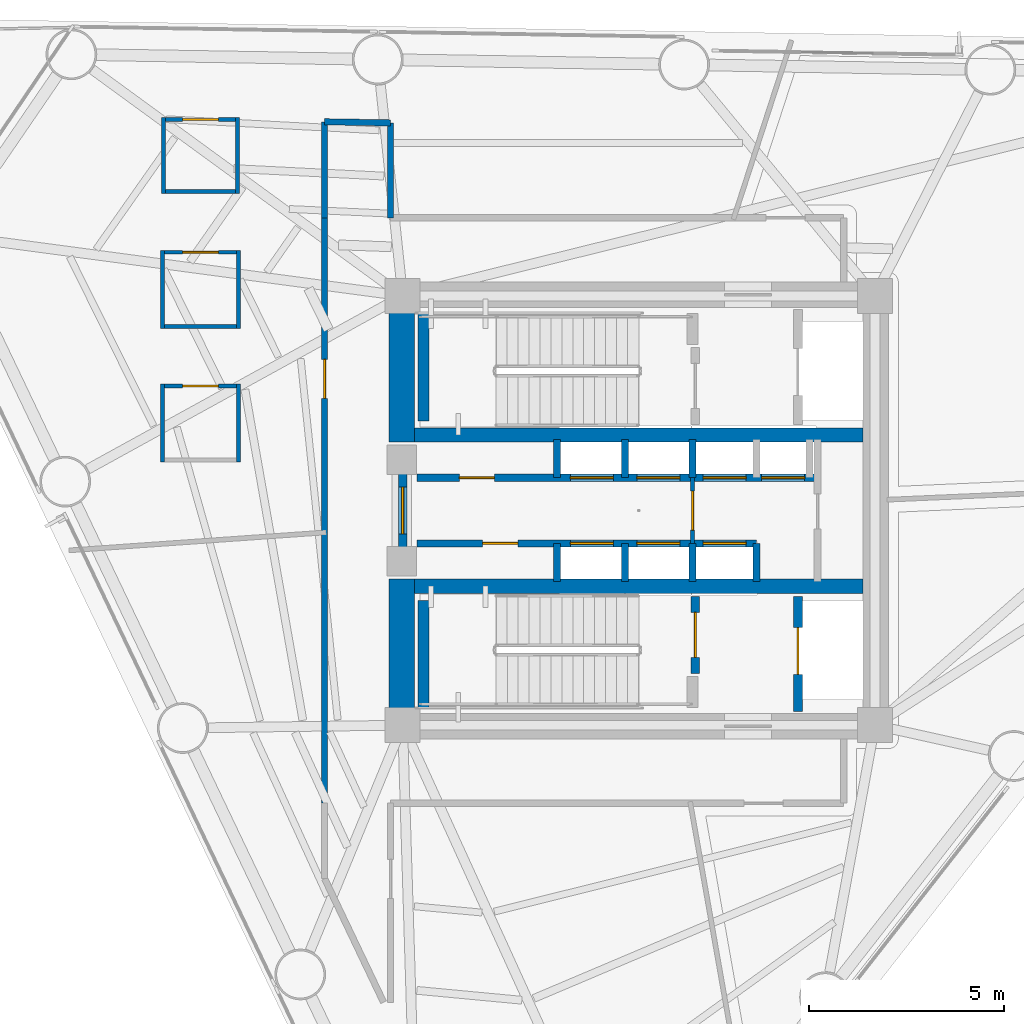
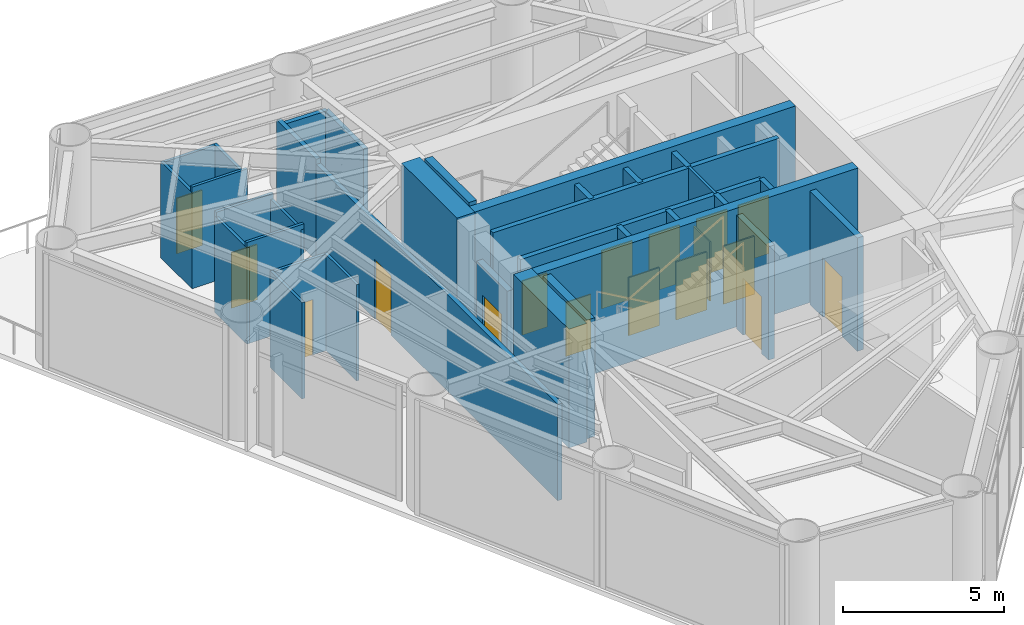
# One storey, part 6 of 11: 34 walls, 17 doors, 17 openings.
"""IFC4 building model written with IfcOpenShell, lengths in metres."""

from ifc_helpers import new_model, si_unit, direction, frame, frame_2d, origin, place, context, subcontext, project, spatial, rectangle, extrude, material, layer, layer_set, type_object, element, fill, save


model = new_model("IFC4")

# Units and contexts
model_context = context("Model", 3, precision=1e-05, world=origin(), true_north=direction((0.0, 1.0)))
body_context = subcontext(model_context, "Body", "Model", "MODEL_VIEW")
ifc_project = project(units=[si_unit("LENGTHUNIT", "METRE"), si_unit("AREAUNIT", "SQUARE_METRE"), si_unit("VOLUMEUNIT", "CUBIC_METRE"), si_unit("PLANEANGLEUNIT", "RADIAN"), si_unit("MASSUNIT", "GRAM", prefix="KILO")], contexts=[model_context])

# Site, building, storey
site_placement = place(None, origin())
site = spatial("IfcSite", under=ifc_project, at=site_placement, CompositionType="ELEMENT")
building_placement = place(site_placement, origin())
building = spatial("IfcBuilding", under=site, at=building_placement, Name="Yunling Apex Tower", CompositionType="ELEMENT")
storey_placement = place(building_placement, frame((0.0, 0.0, 125.0)))
storey = spatial("IfcBuildingStorey", under=building, at=storey_placement, Name="L30", CompositionType="ELEMENT", Elevation=125.0)

# Walls
ifc_material_1 = material(Name="Concrete C50", Category="concrete")
ifc_layer_1 = layer(ifc_material_1, 0.64990234375)
ifc_layer_set_1 = layer_set([ifc_layer_1], Name="Concrete C50")
wall_type_1 = type_object("IfcWallType", Name="WL-COR-2", PredefinedType="SHEAR", material=ifc_layer_set_1)
for number, where, z_axis, x_axis, name in (
    (1, (-6.074951171875, -5.199951171875, 0.0), (0.0, 0.0, 1.0), (0.0, 1.0, 0.0), "L30 West-South Core Shear Wall"),
    (2, (-6.074951171875, 1.75, 0.0), (0.0, 0.0, 1.0), (0.0, 1.0, 0.0), "L30 West-North Core Shear Wall"),
):
    element("IfcWall", number, at=place(storey_placement, frame(where, z_axis=z_axis, x_axis=x_axis)), inside=storey, type_object=wall_type_1, Name=name, PredefinedType="SHEAR", context=body_context, shape_type="SweptSolid", body=[
        extrude(rectangle(XDim=3.449951171875, YDim=0.64990234375, at=frame_2d((1.72509765625, 0.0))), origin(), (0.0, 0.0, 1.0), 4.5),
    ])
ifc_material_2 = material(Name="Concrete C40", Category="concrete")
ifc_layer_2 = layer(ifc_material_2, 0.360107421875)
ifc_layer_set_2 = layer_set([ifc_layer_2], Name="Concrete C40")
wall_type_2 = type_object("IfcWallType", Name="WL-COR-4", PredefinedType="SHEAR", material=ifc_layer_set_2)
for number, where, z_axis, x_axis, name in (
    (3, (-5.75, 1.93994140625, 0.0), (0.0, 0.0, 1.0), (1.0, 0.0, 0.0), "L30 North Internal Core Shear Wall"),
    (4, (-5.75, -1.93994140625, 0.0), (0.0, 0.0, 1.0), (1.0, 0.0, 0.0), "L30 South Internal Core Shear Wall"),
):
    element("IfcWall", number, at=place(storey_placement, frame(where, z_axis=z_axis, x_axis=x_axis)), inside=storey, type_object=wall_type_2, Name=name, PredefinedType="SHEAR", context=body_context, shape_type="SweptSolid", body=[
        extrude(rectangle(XDim=11.5, YDim=0.360107421875, at=frame_2d((5.75, 0.0))), origin(), (0.0, 0.0, 1.0), 4.5),
    ])
ifc_layer_3 = layer(ifc_material_2, 0.280029296875)
ifc_layer_set_3 = layer_set([ifc_layer_3], Name="Concrete C40")
wall_type_3 = type_object("IfcWallType", Name="WL-COR-8", PredefinedType="SHEAR", material=ifc_layer_set_3)
for number, where, z_axis, x_axis, name in (
    (5, (-5.52001953125, 2.300048828125, 0.0), (0.0, 0.0, 1.0), (0.0, 1.0, 0.0), "L30 ST-1 West Landing Bearing Wall"),
    (6, (-5.52001953125, -5.050048828125, 0.0), (0.0, 0.0, 1.0), (0.0, 1.0, 0.0), "L30 ST-2 West Landing Bearing Wall"),
):
    element("IfcWall", number, at=place(storey_placement, frame(where, z_axis=z_axis, x_axis=x_axis)), inside=storey, type_object=wall_type_3, Name=name, PredefinedType="SHEAR", context=body_context, shape_type="SweptSolid", body=[
        extrude(rectangle(XDim=2.75, YDim=0.280029296875, at=frame_2d((1.375, 0.0))), origin(), (0.0, 0.0, 1.0), 4.5),
    ])

# Wall, opening, door
ifc_material_3 = material(Name="Gypsum board acoustic partition")
ifc_layer_4 = layer(ifc_material_3, 0.159912109375)
ifc_layer_set_4 = layer_set([ifc_layer_4], Name="Gypsum board acoustic partition")
wall_type_4 = type_object("IfcWallType", Name="WL-PRT-1", PredefinedType="PARTITIONING", material=ifc_layer_set_4)
wall_1_placement = place(storey_placement, frame((-8.050048828125, -7.5, 0.0), z_axis=(0.0, 0.0, 1.0), x_axis=(0.0, 1.0, 0.0)))
wall_1 = element("IfcWall", 7, at=wall_1_placement, inside=storey, type_object=wall_type_4, Name="WL-CORR-L30-04", PredefinedType="PARTITIONING", context=body_context, shape_type="SweptSolid", body=[
    extrude(rectangle(XDim=15.0, YDim=0.159912109375, at=frame_2d((7.5, 0.0))), origin(), (0.0, 0.0, 1.0), 3.655029296875),
])
opening_1_placement = place(wall_1_placement, frame((10.371826171875, 0.0, 0.0)))
opening_1 = element("IfcOpeningElement", 8, at=opening_1_placement, cuts=wall_1, Name="Opening DR-OFF-1", PredefinedType="OPENING", context=body_context, shape_type="SweptSolid", body=[
    extrude(rectangle(XDim=1.0, YDim=2.25, at=frame_2d((0.5, 1.125))), frame((0.0, 0.08984375, 0.0), z_axis=(0.0, -1.0, 0.0), x_axis=(1.0, 0.0, 0.0)), (0.0, 0.0, 1.0), 0.179931640625),
])
ifc_material_4 = material(Name="Bronze anodised aluminium", Category="aluminium")
door_type_1 = type_object("IfcDoorType", Name="DR-OFF-1", OperationType="NOTDEFINED", PredefinedType="DOOR", material=ifc_material_4)
door_1_placement = place(opening_1_placement, origin())
door_1 = element("IfcDoor", 9, at=door_1_placement, inside=storey, type_object=door_type_1, Name="L30 Service Foyer Lounge Door", OperationType="SINGLE_SWING_LEFT", OverallHeight=2.25, OverallWidth=1.0, PredefinedType="DOOR", context=body_context, shape_type="SweptSolid", body=[
    extrude(rectangle(XDim=1.0, YDim=2.25, at=frame_2d((0.5, 1.125))), frame((0.0, 0.02490234375, 0.0), z_axis=(0.0, -1.0, 0.0), x_axis=(1.0, 0.0, 0.0)), (0.0, 0.0, 1.0), 0.050048828125),
])
fill(opening_1, door_1)

# Walls
wall_2_placement = place(storey_placement, frame((-8.050048828125, 7.5, 0.0), z_axis=(0.0, 0.0, 1.0), x_axis=(0.0, 1.0, 0.0)))
element("IfcWall", 10, at=wall_2_placement, inside=storey, type_object=wall_type_4, Name="WL-CORR-L30-05", PredefinedType="PARTITIONING", context=body_context, shape_type="SweptSolid", body=[
    extrude(rectangle(XDim=2.4609375, YDim=0.159912109375, at=frame_2d((1.23046875, 0.0))), origin(), (0.0, 0.0, 1.0), 3.85498046875),
])
wall_3_placement = place(storey_placement, frame((-8.050048828125, 9.9609375, 0.0), z_axis=(0.0, 0.0, 1.0), x_axis=(0.999859611566, -0.016755809729, 0.0)))
element("IfcWall", 11, at=wall_3_placement, inside=storey, type_object=wall_type_4, Name="WL-CORR-L30-06", PredefinedType="PARTITIONING", context=body_context, shape_type="SweptSolid", body=[
    extrude(rectangle(XDim=1.690185546875, YDim=0.159912109375, at=frame_2d((0.84521484375, 0.0))), origin(), (0.0, 0.0, 1.0), 3.655029296875),
])
wall_4_placement = place(storey_placement, frame((-6.360107421875, 9.9326171875, 0.0), z_axis=(0.0, 0.0, 1.0), x_axis=(0.0, -1.0, 0.0)))
element("IfcWall", 12, at=wall_4_placement, inside=storey, type_object=wall_type_4, Name="WL-CORR-L30-07", PredefinedType="PARTITIONING", context=body_context, shape_type="SweptSolid", body=[
    extrude(rectangle(XDim=2.4326171875, YDim=0.159912109375, at=frame_2d((1.21630859375, 0.0))), origin(), (0.0, 0.0, 1.0), 3.655029296875),
])

# Wall, opening, door
ifc_layer_5 = layer(ifc_material_3, 0.10009765625)
ifc_layer_set_5 = layer_set([ifc_layer_5], Name="Gypsum board acoustic partition")
wall_type_5 = type_object("IfcWallType", Name="WL-PRT-4", PredefinedType="PARTITIONING", material=ifc_layer_set_5)
wall_5_placement = place(storey_placement, frame((1.3798828125, -0.840087890625, 0.0), z_axis=(0.0, 0.0, 1.0), x_axis=(0.0, 1.0, 0.0)))
wall_5 = element("IfcWall", 13, at=wall_5_placement, inside=storey, type_object=wall_type_5, Name="WL-LOB-MID-L30", PredefinedType="PARTITIONING", context=body_context, shape_type="SweptSolid", body=[
    extrude(rectangle(XDim=1.68017578125, YDim=0.10009765625, at=frame_2d((0.840087890625, 0.0))), origin(), (0.0, 0.0, 1.0), 4.300048828125),
])
opening_2_placement = place(wall_5_placement, frame((0.340087890625, 0.0, 0.0)))
opening_2 = element("IfcOpeningElement", 14, at=opening_2_placement, cuts=wall_5, Name="Opening DR-OFF-1", PredefinedType="OPENING", context=body_context, shape_type="SweptSolid", body=[
    extrude(rectangle(XDim=1.0, YDim=2.25, at=frame_2d((0.5, 1.125))), frame((0.0, 0.06005859375, 0.0), z_axis=(0.0, -1.0, 0.0), x_axis=(1.0, 0.0, 0.0)), (0.0, 0.0, 1.0), 0.1201171875),
])
door_2_placement = place(opening_2_placement, origin())
door_2 = element("IfcDoor", 15, at=door_2_placement, inside=storey, type_object=door_type_1, Name="L30 Core Lobby Link Door", OperationType="SINGLE_SWING_LEFT", OverallHeight=2.25, OverallWidth=1.0, PredefinedType="DOOR", context=body_context, shape_type="SweptSolid", body=[
    extrude(rectangle(XDim=1.0, YDim=2.25, at=frame_2d((0.5, 1.125))), frame((0.0, 0.02490234375, 0.0), z_axis=(0.0, -1.0, 0.0), x_axis=(1.0, 0.0, 0.0)), (0.0, 0.0, 1.0), 0.050048828125),
])
fill(opening_2, door_2)

wall_6_placement = place(storey_placement, frame((-12.25390625, 6.617919921875, 0.0), z_axis=(0.0, 0.0, 1.0), x_axis=(1.0, 0.0, 0.0)))
wall_6 = element("IfcWall", 16, at=wall_6_placement, inside=storey, type_object=wall_type_5, Name="WL-L30-WCMN", PredefinedType="PARTITIONING", context=body_context, shape_type="SweptSolid", body=[
    extrude(rectangle(XDim=2.0498046875, YDim=0.10009765625, at=frame_2d((1.02490234375, 0.0))), origin(), (0.0, 0.0, 1.0), 3.85498046875),
])
opening_3_placement = place(wall_6_placement, frame((0.56494140625, 0.0, 0.0)))
opening_3 = element("IfcOpeningElement", 17, at=opening_3_placement, cuts=wall_6, Name="Opening DR-WC-1", PredefinedType="OPENING", context=body_context, shape_type="SweptSolid", body=[
    extrude(rectangle(XDim=0.919921875, YDim=2.10009765625, at=frame_2d((0.4599609375, 1.050048828125))), frame((0.0, 0.06005859375, 0.0), z_axis=(0.0, -1.0, 0.0), x_axis=(1.0, 0.0, 0.0)), (0.0, 0.0, 1.0), 0.1201171875),
])
ifc_material_5 = material(Name="Timber moisture-resistant leaf", Category="wood")
door_type_2 = type_object("IfcDoorType", Name="DR-WC-1", OperationType="NOTDEFINED", PredefinedType="DOOR", material=ifc_material_5)
door_3_placement = place(opening_3_placement, origin())
door_3 = element("IfcDoor", 18, at=door_3_placement, inside=storey, type_object=door_type_2, Name="L30 Male Toilet Door", OperationType="SINGLE_SWING_LEFT", OverallHeight=2.10009765625, OverallWidth=0.919921875, PredefinedType="DOOR", context=body_context, shape_type="SweptSolid", body=[
    extrude(rectangle(XDim=0.919921875, YDim=2.10009765625, at=frame_2d((0.4599609375, 1.050048828125))), frame((0.0, 0.02490234375, 0.0), z_axis=(0.0, -1.0, 0.0), x_axis=(1.0, 0.0, 0.0)), (0.0, 0.0, 1.0), 0.050048828125),
])
fill(opening_3, door_3)

# Walls
wall_7_placement = place(storey_placement, frame((-10.2041015625, 4.718017578125, 0.0), z_axis=(0.0, 0.0, 1.0), x_axis=(-1.0, 0.0, 0.0)))
element("IfcWall", 19, at=wall_7_placement, inside=storey, type_object=wall_type_5, Name="WL-L30-WCMS", PredefinedType="PARTITIONING", context=body_context, shape_type="SweptSolid", body=[
    extrude(rectangle(XDim=2.0498046875, YDim=0.10009765625, at=frame_2d((1.02490234375, 0.0))), origin(), (0.0, 0.0, 1.0), 3.85498046875),
])
for number, where, z_axis, x_axis, name in (
    (20, (-10.25390625, 6.66796875, 0.0), (0.0, 0.0, 1.0), (0.0, -1.0, 0.0), "WL-L30-WCME"),
    (21, (-12.2041015625, 4.66796875, 0.0), (0.0, 0.0, 1.0), (0.0, 1.0, 0.0), "WL-L30-WCMW"),
):
    element("IfcWall", number, at=place(storey_placement, frame(where, z_axis=z_axis, x_axis=x_axis)), inside=storey, type_object=wall_type_5, Name=name, PredefinedType="PARTITIONING", context=body_context, shape_type="SweptSolid", body=[
        extrude(rectangle(XDim=2.0, YDim=0.10009765625, at=frame_2d((1.0, 0.0))), origin(), (0.0, 0.0, 1.0), 3.655029296875),
    ])

# Wall, opening, door
wall_8_placement = place(storey_placement, frame((-12.25390625, 3.19091796875, 0.0), z_axis=(0.0, 0.0, 1.0), x_axis=(1.0, 0.0, 0.0)))
wall_8 = element("IfcWall", 22, at=wall_8_placement, inside=storey, type_object=wall_type_5, Name="WL-L30-WCFN", PredefinedType="PARTITIONING", context=body_context, shape_type="SweptSolid", body=[
    extrude(rectangle(XDim=2.0498046875, YDim=0.10009765625, at=frame_2d((1.02490234375, 0.0))), origin(), (0.0, 0.0, 1.0), 3.655029296875),
])
opening_4_placement = place(wall_8_placement, frame((0.56494140625, 0.0, 0.0)))
opening_4 = element("IfcOpeningElement", 23, at=opening_4_placement, cuts=wall_8, Name="Opening DR-WC-1", PredefinedType="OPENING", context=body_context, shape_type="SweptSolid", body=[
    extrude(rectangle(XDim=0.919921875, YDim=2.10009765625, at=frame_2d((0.4599609375, 1.050048828125))), frame((0.0, 0.06005859375, 0.0), z_axis=(0.0, -1.0, 0.0), x_axis=(1.0, 0.0, 0.0)), (0.0, 0.0, 1.0), 0.1201171875),
])
door_4_placement = place(opening_4_placement, origin())
door_4 = element("IfcDoor", 24, at=door_4_placement, inside=storey, type_object=door_type_2, Name="L30 Female Toilet Door", OperationType="SINGLE_SWING_RIGHT", OverallHeight=2.10009765625, OverallWidth=0.919921875, PredefinedType="DOOR", context=body_context, shape_type="SweptSolid", body=[
    extrude(rectangle(XDim=0.919921875, YDim=2.10009765625, at=frame_2d((0.4599609375, 1.050048828125))), frame((0.0, 0.02490234375, 0.0), z_axis=(0.0, -1.0, 0.0), x_axis=(1.0, 0.0, 0.0)), (0.0, 0.0, 1.0), 0.050048828125),
])
fill(opening_4, door_4)

# Walls
for number, where, z_axis, x_axis, name in (
    (25, (-10.25390625, 3.240966796875, 0.0), (0.0, 0.0, 1.0), (0.0, -1.0, 0.0), "WL-L30-WCFE"),
    (26, (-12.2041015625, 1.240966796875, 0.0), (0.0, 0.0, 1.0), (0.0, 1.0, 0.0), "WL-L30-WCFW"),
):
    element("IfcWall", number, at=place(storey_placement, frame(where, z_axis=z_axis, x_axis=x_axis)), inside=storey, type_object=wall_type_5, Name=name, PredefinedType="PARTITIONING", context=body_context, shape_type="SweptSolid", body=[
        extrude(rectangle(XDim=2.0, YDim=0.10009765625, at=frame_2d((1.0, 0.0))), origin(), (0.0, 0.0, 1.0), 3.655029296875),
    ])

# Wall, opening, door
wall_9_placement = place(storey_placement, frame((-12.22900390625, 10.02001953125, 0.0), z_axis=(0.0, 0.0, 1.0), x_axis=(1.0, 0.0, 0.0)))
wall_9 = element("IfcWall", 27, at=wall_9_placement, inside=storey, type_object=wall_type_5, Name="WL-L30-WCAN", PredefinedType="PARTITIONING", context=body_context, shape_type="SweptSolid", body=[
    extrude(rectangle(XDim=2.0, YDim=0.10009765625, at=frame_2d((1.0, 0.0))), origin(), (0.0, 0.0, 1.0), 3.655029296875),
])
opening_5_placement = place(wall_9_placement, frame((0.5400390625, 0.0, 0.0)))
opening_5 = element("IfcOpeningElement", 28, at=opening_5_placement, cuts=wall_9, Name="Opening DR-WC-1", PredefinedType="OPENING", context=body_context, shape_type="SweptSolid", body=[
    extrude(rectangle(XDim=0.919921875, YDim=2.10009765625, at=frame_2d((0.4599609375, 1.050048828125))), frame((0.0, 0.06005859375, 0.0), z_axis=(0.0, -1.0, 0.0), x_axis=(1.0, 0.0, 0.0)), (0.0, 0.0, 1.0), 0.1201171875),
])
door_5_placement = place(opening_5_placement, origin())
door_5 = element("IfcDoor", 29, at=door_5_placement, inside=storey, type_object=door_type_2, Name="L30 Accessible WC Door", OperationType="SINGLE_SWING_LEFT", OverallHeight=2.10009765625, OverallWidth=0.919921875, PredefinedType="DOOR", context=body_context, shape_type="SweptSolid", body=[
    extrude(rectangle(XDim=0.919921875, YDim=2.10009765625, at=frame_2d((0.4599609375, 1.050048828125))), frame((0.0, 0.02490234375, 0.0), z_axis=(0.0, -1.0, 0.0), x_axis=(1.0, 0.0, 0.0)), (0.0, 0.0, 1.0), 0.050048828125),
])
fill(opening_5, door_5)

# Walls
wall_10_placement = place(storey_placement, frame((-10.22900390625, 8.169921875, 0.0), z_axis=(0.0, 0.0, 1.0), x_axis=(-1.0, 0.0, 0.0)))
element("IfcWall", 30, at=wall_10_placement, inside=storey, type_object=wall_type_5, Name="WL-L30-WCAS", PredefinedType="PARTITIONING", context=body_context, shape_type="SweptSolid", body=[
    extrude(rectangle(XDim=2.0, YDim=0.10009765625, at=frame_2d((1.0, 0.0))), origin(), (0.0, 0.0, 1.0), 3.85498046875),
])
for number, where, z_axis, x_axis, name in (
    (31, (-10.279052734375, 10.070068359375, 0.0), (0.0, 0.0, 1.0), (0.0, -1.0, 0.0), "WL-L30-WCAE"),
    (32, (-12.178955078125, 8.1201171875, 0.0), (0.0, 0.0, 1.0), (0.0, 1.0, 0.0), "WL-L30-WCAW"),
):
    element("IfcWall", number, at=place(storey_placement, frame(where, z_axis=z_axis, x_axis=x_axis)), inside=storey, type_object=wall_type_5, Name=name, PredefinedType="PARTITIONING", context=body_context, shape_type="SweptSolid", body=[
        extrude(rectangle(XDim=1.949951171875, YDim=0.10009765625, at=frame_2d((0.97509765625, 0.0))), origin(), (0.0, 0.0, 1.0), 3.655029296875),
    ])

# Wall, opening, door
ifc_material_6 = material(Name="Autoclaved aerated concrete masonry", Category="masonry")
ifc_layer_6 = layer(ifc_material_6, 0.219970703125)
ifc_layer_set_6 = layer_set([ifc_layer_6], Name="Autoclaved aerated concrete masonry")
wall_type_6 = type_object("IfcWallType", Name="WL-SHF-1", PredefinedType="PLUMBINGWALL", material=ifc_layer_set_6)
wall_11_placement = place(storey_placement, frame((-6.050048828125, -0.949951171875, 0.0), z_axis=(0.0, 0.0, 1.0), x_axis=(0.0, 1.0, 0.0)))
wall_11 = element("IfcWall", 33, at=wall_11_placement, inside=storey, type_object=wall_type_6, Name="WL-COR-WPORT-L30", PredefinedType="PLUMBINGWALL", context=body_context, shape_type="SweptSolid", body=[
    extrude(rectangle(XDim=1.89990234375, YDim=0.219970703125, at=frame_2d((0.949951171875, 0.0))), origin(), (0.0, 0.0, 1.0), 3.280029296875),
])
opening_6_placement = place(wall_11_placement, frame((0.35009765625, 0.0, 0.0)))
opening_6 = element("IfcOpeningElement", 34, at=opening_6_placement, cuts=wall_11, Name="Opening DR-FFL-1", PredefinedType="OPENING", context=body_context, shape_type="SweptSolid", body=[
    extrude(rectangle(XDim=1.199951171875, YDim=2.199951171875, at=frame_2d((0.60009765625, 1.10009765625))), frame((0.0, 0.1201171875, 0.0), z_axis=(0.0, -1.0, 0.0), x_axis=(1.0, 0.0, 0.0)), (0.0, 0.0, 1.0), 0.239990234375),
])
ifc_material_7 = material(Name="Steel Q355B", Category="steel")
door_type_3 = type_object("IfcDoorType", Name="DR-FFL-1", OperationType="NOTDEFINED", PredefinedType="DOOR", material=ifc_material_7)
door_6_placement = place(opening_6_placement, origin())
door_6 = element("IfcDoor", 35, at=door_6_placement, inside=storey, type_object=door_type_3, Name="L30 Passenger Lift Lobby Entrance Door", OperationType="SINGLE_SWING_LEFT", OverallHeight=2.199951171875, OverallWidth=1.199951171875, PredefinedType="DOOR", context=body_context, shape_type="SweptSolid", body=[
    extrude(rectangle(XDim=1.199951171875, YDim=2.199951171875, at=frame_2d((0.60009765625, 1.10009765625))), frame((0.0, 0.02490234375, 0.0), z_axis=(0.0, -1.0, 0.0), x_axis=(1.0, 0.0, 0.0)), (0.0, 0.0, 1.0), 0.050048828125),
])
fill(opening_6, door_6)

wall_12_placement = place(storey_placement, frame((1.449951171875, -4.179931640625, 0.0), z_axis=(0.0, 0.0, 1.0), x_axis=(0.0, 1.0, 0.0)))
wall_12 = element("IfcWall", 36, at=wall_12_placement, inside=storey, type_object=wall_type_6, Name="WL-ST2-E-L30", PredefinedType="PLUMBINGWALL", context=body_context, shape_type="SweptSolid", body=[
    extrude(rectangle(XDim=1.97998046875, YDim=0.219970703125, at=frame_2d((0.989990234375, 0.0))), origin(), (0.0, 0.0, 1.0), 4.300048828125),
])
opening_7_placement = place(wall_12_placement, frame((0.419921875, 0.0, 0.0)))
opening_7 = element("IfcOpeningElement", 37, at=opening_7_placement, cuts=wall_12, Name="Opening DR-ST-1", PredefinedType="OPENING", context=body_context, shape_type="SweptSolid", body=[
    extrude(rectangle(XDim=1.14990234375, YDim=2.14990234375, at=frame_2d((0.574951171875, 1.074951171875))), frame((0.0, 0.1201171875, 0.0), z_axis=(0.0, -1.0, 0.0), x_axis=(1.0, 0.0, 0.0)), (0.0, 0.0, 1.0), 0.239990234375),
])
door_type_4 = type_object("IfcDoorType", Name="DR-ST-1", OperationType="NOTDEFINED", PredefinedType="DOOR", material=ifc_material_7)
door_7_placement = place(opening_7_placement, origin())
door_7 = element("IfcDoor", 38, at=door_7_placement, inside=storey, type_object=door_type_4, Name="L30 Stair ST-2 Fire Door", OperationType="SINGLE_SWING_RIGHT", OverallHeight=2.14990234375, OverallWidth=1.14990234375, PredefinedType="DOOR", context=body_context, shape_type="SweptSolid", body=[
    extrude(rectangle(XDim=1.14990234375, YDim=2.14990234375, at=frame_2d((0.574951171875, 1.074951171875))), frame((0.0, 0.02490234375, 0.0), z_axis=(0.0, -1.0, 0.0), x_axis=(1.0, 0.0, 0.0)), (0.0, 0.0, 1.0), 0.050048828125),
])
fill(opening_7, door_7)

wall_13_placement = place(storey_placement, frame((4.080078125, -5.14990234375, 0.0), z_axis=(0.0, 0.0, 1.0), x_axis=(0.0, 1.0, 0.0)))
wall_13 = element("IfcWall", 39, at=wall_13_placement, inside=storey, type_object=wall_type_6, Name="WL-FFL2-W-L30", PredefinedType="PLUMBINGWALL", context=body_context, shape_type="SweptSolid", body=[
    extrude(rectangle(XDim=2.949951171875, YDim=0.219970703125, at=frame_2d((1.47509765625, 0.0))), origin(), (0.0, 0.0, 1.0), 4.300048828125),
])
opening_8_placement = place(wall_13_placement, frame((0.949951171875, 0.0, 0.0)))
opening_8 = element("IfcOpeningElement", 40, at=opening_8_placement, cuts=wall_13, Name="Opening LD-FFL-1", PredefinedType="OPENING", context=body_context, shape_type="SweptSolid", body=[
    extrude(rectangle(XDim=1.199951171875, YDim=2.25, at=frame_2d((0.60009765625, 1.125))), frame((0.0, 0.1201171875, 0.0), z_axis=(0.0, -1.0, 0.0), x_axis=(1.0, 0.0, 0.0)), (0.0, 0.0, 1.0), 0.239990234375),
])
door_type_5 = type_object("IfcDoorType", Name="LD-FFL-1", OperationType="DOUBLE_DOOR_SLIDING", PredefinedType="DOOR", material=ifc_material_7)
door_8_placement = place(opening_8_placement, origin())
door_8 = element("IfcDoor", 41, at=door_8_placement, inside=storey, type_object=door_type_5, Name="L30 Lift FFL-2 Landing Door", OperationType="DOUBLE_DOOR_SLIDING", OverallHeight=2.25, OverallWidth=1.199951171875, PredefinedType="DOOR", context=body_context, shape_type="SweptSolid", body=[
    extrude(rectangle(XDim=1.199951171875, YDim=2.25, at=frame_2d((0.60009765625, 1.125))), frame((0.0, 0.02490234375, 0.0), z_axis=(0.0, -1.0, 0.0), x_axis=(1.0, 0.0, 0.0)), (0.0, 0.0, 1.0), 0.050048828125),
])
fill(opening_8, door_8)

# Walls
ifc_layer_7 = layer(ifc_material_6, 0.179931640625)
ifc_layer_set_7 = layer_set([ifc_layer_7], Name="Autoclaved aerated concrete masonry")
wall_type_7 = type_object("IfcWallType", Name="WL-SHF-2", PredefinedType="PLUMBINGWALL", material=ifc_layer_set_7)
for number, where, z_axis, x_axis, name in (
    (42, (-2.10009765625, 0.840087890625, 0.0), (0.0, 0.0, 1.0), (0.0, 1.0, 0.0), "WL-BNK-LM-N-L30"),
    (43, (-2.10009765625, -1.820068359375, 0.0), (0.0, 0.0, 1.0), (0.0, 1.0, 0.0), "WL-BNK-LM-S-L30"),
    (44, (-0.35009765625, 0.840087890625, 0.0), (0.0, 0.0, 1.0), (0.0, 1.0, 0.0), "WL-DIV-M12-L30"),
    (45, (-0.35009765625, -1.820068359375, 0.0), (0.0, 0.0, 1.0), (0.0, 1.0, 0.0), "WL-DIV-M34-L30"),
    (46, (1.3798828125, 0.840087890625, 0.0), (0.0, 0.0, 1.0), (0.0, 1.0, 0.0), "WL-BNK-MH-N-L30"),
    (47, (1.3798828125, -1.820068359375, 0.0), (0.0, 0.0, 1.0), (0.0, 1.0, 0.0), "WL-BNK-MH-S-L30"),
    (48, (3.02001953125, -1.820068359375, 0.0), (0.0, 0.0, 1.0), (0.0, 1.0, 0.0), "WL-END-H2E-L30"),
):
    element("IfcWall", number, at=place(storey_placement, frame(where, z_axis=z_axis, x_axis=x_axis)), inside=storey, type_object=wall_type_7, Name=name, PredefinedType="PLUMBINGWALL", context=body_context, shape_type="SweptSolid", body=[
        extrude(rectangle(XDim=0.97998046875, YDim=0.179931640625, at=frame_2d((0.489990234375, 0.0))), origin(), (0.0, 0.0, 1.0), 4.300048828125),
    ])

# Wall, openings, doors
wall_14_placement = place(storey_placement, frame((-5.679931640625, 0.840087890625, 0.0), z_axis=(0.0, 0.0, 1.0), x_axis=(1.0, 0.0, 0.0)))
wall_14 = element("IfcWall", 49, at=wall_14_placement, inside=storey, type_object=wall_type_7, Name="WL-LOB-N-L30", PredefinedType="PLUMBINGWALL", context=body_context, shape_type="SweptSolid", body=[
    extrude(rectangle(XDim=10.260009765625, YDim=0.179931640625, at=frame_2d((5.1298828125, 0.0))), origin(), (0.0, 0.0, 1.0), 4.300048828125),
])
opening_9_placement = place(wall_14_placement, frame((1.080078125, 0.0, 0.0)))
opening_9 = element("IfcOpeningElement", 50, at=opening_9_placement, cuts=wall_14, Name="Opening DR-SHF-1", PredefinedType="OPENING", context=body_context, shape_type="SweptSolid", body=[
    extrude(rectangle(XDim=0.89990234375, YDim=2.050048828125, at=frame_2d((0.449951171875, 1.02490234375))), frame((0.0, 0.10009765625, 0.0), z_axis=(0.0, -1.0, 0.0), x_axis=(1.0, 0.0, 0.0)), (0.0, 0.0, 1.0), 0.199951171875),
])
opening_10_placement = place(wall_14_placement, frame((3.929931640625, 0.0, 0.0)))
opening_10 = element("IfcOpeningElement", 51, at=opening_10_placement, cuts=wall_14, Name="Opening LD-PAS-1", PredefinedType="OPENING", context=body_context, shape_type="SweptSolid", body=[
    extrude(rectangle(XDim=1.10009765625, YDim=2.199951171875, at=frame_2d((0.550048828125, 1.10009765625))), frame((0.0, 0.10009765625, 0.0), z_axis=(0.0, -1.0, 0.0), x_axis=(1.0, 0.0, 0.0)), (0.0, 0.0, 1.0), 0.199951171875),
])
opening_11_placement = place(wall_14_placement, frame((5.6298828125, 0.0, 0.0)))
opening_11 = element("IfcOpeningElement", 52, at=opening_11_placement, cuts=wall_14, Name="Opening LD-PAS-1", PredefinedType="OPENING", context=body_context, shape_type="SweptSolid", body=[
    extrude(rectangle(XDim=1.10009765625, YDim=2.199951171875, at=frame_2d((0.550048828125, 1.10009765625))), frame((0.0, 0.10009765625, 0.0), z_axis=(0.0, -1.0, 0.0), x_axis=(1.0, 0.0, 0.0)), (0.0, 0.0, 1.0), 0.199951171875),
])
opening_12_placement = place(wall_14_placement, frame((7.330078125, 0.0, 0.0)))
opening_12 = element("IfcOpeningElement", 53, at=opening_12_placement, cuts=wall_14, Name="Opening LD-PAS-1", PredefinedType="OPENING", context=body_context, shape_type="SweptSolid", body=[
    extrude(rectangle(XDim=1.10009765625, YDim=2.199951171875, at=frame_2d((0.550048828125, 1.10009765625))), frame((0.0, 0.10009765625, 0.0), z_axis=(0.0, -1.0, 0.0), x_axis=(1.0, 0.0, 0.0)), (0.0, 0.0, 1.0), 0.199951171875),
])
opening_13_placement = place(wall_14_placement, frame((8.830078125, 0.0, 0.0)))
opening_13 = element("IfcOpeningElement", 54, at=opening_13_placement, cuts=wall_14, Name="Opening LD-PAS-1", PredefinedType="OPENING", context=body_context, shape_type="SweptSolid", body=[
    extrude(rectangle(XDim=1.10009765625, YDim=2.199951171875, at=frame_2d((0.550048828125, 1.10009765625))), frame((0.0, 0.10009765625, 0.0), z_axis=(0.0, -1.0, 0.0), x_axis=(1.0, 0.0, 0.0)), (0.0, 0.0, 1.0), 0.199951171875),
])
door_type_6 = type_object("IfcDoorType", Name="DR-SHF-1", OperationType="NOTDEFINED", PredefinedType="DOOR", material=ifc_material_7)
door_9_placement = place(opening_9_placement, origin())
door_9 = element("IfcDoor", 55, at=door_9_placement, inside=storey, type_object=door_type_6, Name="L30 BMS Plant Door", OperationType="SINGLE_SWING_LEFT", OverallHeight=2.050048828125, OverallWidth=0.89990234375, PredefinedType="DOOR", context=body_context, shape_type="SweptSolid", body=[
    extrude(rectangle(XDim=0.89990234375, YDim=2.050048828125, at=frame_2d((0.449951171875, 1.02490234375))), frame((0.0, 0.02490234375, 0.0), z_axis=(0.0, -1.0, 0.0), x_axis=(1.0, 0.0, 0.0)), (0.0, 0.0, 1.0), 0.050048828125),
])
fill(opening_9, door_9)
ifc_material_8 = material(Name="Silver anodised aluminium", Category="aluminium")
door_type_7 = type_object("IfcDoorType", Name="LD-PAS-1", OperationType="DOUBLE_DOOR_SLIDING", PredefinedType="DOOR", material=ifc_material_8)
door_10_placement = place(opening_10_placement, origin())
door_10 = element("IfcDoor", 56, at=door_10_placement, inside=storey, type_object=door_type_7, Name="L30 Lift PL-M1 Landing Door", OperationType="DOUBLE_DOOR_SLIDING", OverallHeight=2.199951171875, OverallWidth=1.10009765625, PredefinedType="DOOR", context=body_context, shape_type="SweptSolid", body=[
    extrude(rectangle(XDim=1.10009765625, YDim=2.199951171875, at=frame_2d((0.550048828125, 1.10009765625))), frame((0.0, 0.02490234375, 0.0), z_axis=(0.0, -1.0, 0.0), x_axis=(1.0, 0.0, 0.0)), (0.0, 0.0, 1.0), 0.050048828125),
])
fill(opening_10, door_10)
door_11_placement = place(opening_11_placement, origin())
door_11 = element("IfcDoor", 57, at=door_11_placement, inside=storey, type_object=door_type_7, Name="L30 Lift PL-M2 Landing Door", OperationType="DOUBLE_DOOR_SLIDING", OverallHeight=2.199951171875, OverallWidth=1.10009765625, PredefinedType="DOOR", context=body_context, shape_type="SweptSolid", body=[
    extrude(rectangle(XDim=1.10009765625, YDim=2.199951171875, at=frame_2d((0.550048828125, 1.10009765625))), frame((0.0, 0.02490234375, 0.0), z_axis=(0.0, -1.0, 0.0), x_axis=(1.0, 0.0, 0.0)), (0.0, 0.0, 1.0), 0.050048828125),
])
fill(opening_11, door_11)
door_12_placement = place(opening_12_placement, origin())
door_12 = element("IfcDoor", 58, at=door_12_placement, inside=storey, type_object=door_type_7, Name="L30 Lift PL-H1 Landing Door", OperationType="DOUBLE_DOOR_SLIDING", OverallHeight=2.199951171875, OverallWidth=1.10009765625, PredefinedType="DOOR", context=body_context, shape_type="SweptSolid", body=[
    extrude(rectangle(XDim=1.10009765625, YDim=2.199951171875, at=frame_2d((0.550048828125, 1.10009765625))), frame((0.0, 0.02490234375, 0.0), z_axis=(0.0, -1.0, 0.0), x_axis=(1.0, 0.0, 0.0)), (0.0, 0.0, 1.0), 0.050048828125),
])
fill(opening_12, door_12)
door_13_placement = place(opening_13_placement, origin())
door_13 = element("IfcDoor", 59, at=door_13_placement, inside=storey, type_object=door_type_7, Name="L30 Lift PL-H3 Landing Door", OperationType="DOUBLE_DOOR_SLIDING", OverallHeight=2.199951171875, OverallWidth=1.10009765625, PredefinedType="DOOR", context=body_context, shape_type="SweptSolid", body=[
    extrude(rectangle(XDim=1.10009765625, YDim=2.199951171875, at=frame_2d((0.550048828125, 1.10009765625))), frame((0.0, 0.02490234375, 0.0), z_axis=(0.0, -1.0, 0.0), x_axis=(1.0, 0.0, 0.0)), (0.0, 0.0, 1.0), 0.050048828125),
])
fill(opening_13, door_13)

wall_15_placement = place(storey_placement, frame((-5.679931640625, -0.840087890625, 0.0), z_axis=(0.0, 0.0, 1.0), x_axis=(1.0, 0.0, 0.0)))
wall_15 = element("IfcWall", 60, at=wall_15_placement, inside=storey, type_object=wall_type_7, Name="WL-LOB-S-L30", PredefinedType="PLUMBINGWALL", context=body_context, shape_type="SweptSolid", body=[
    extrude(rectangle(XDim=8.699951171875, YDim=0.179931640625, at=frame_2d((4.35009765625, 0.0))), origin(), (0.0, 0.0, 1.0), 4.300048828125),
])
opening_14_placement = place(wall_15_placement, frame((1.679931640625, 0.0, 0.0)))
opening_14 = element("IfcOpeningElement", 61, at=opening_14_placement, cuts=wall_15, Name="Opening DR-SHF-1", PredefinedType="OPENING", context=body_context, shape_type="SweptSolid", body=[
    extrude(rectangle(XDim=0.89990234375, YDim=2.050048828125, at=frame_2d((0.449951171875, 1.02490234375))), frame((0.0, 0.10009765625, 0.0), z_axis=(0.0, -1.0, 0.0), x_axis=(1.0, 0.0, 0.0)), (0.0, 0.0, 1.0), 0.199951171875),
])
opening_15_placement = place(wall_15_placement, frame((3.929931640625, 0.0, 0.0)))
opening_15 = element("IfcOpeningElement", 62, at=opening_15_placement, cuts=wall_15, Name="Opening LD-PAS-1", PredefinedType="OPENING", context=body_context, shape_type="SweptSolid", body=[
    extrude(rectangle(XDim=1.10009765625, YDim=2.199951171875, at=frame_2d((0.550048828125, 1.10009765625))), frame((0.0, 0.10009765625, 0.0), z_axis=(0.0, -1.0, 0.0), x_axis=(1.0, 0.0, 0.0)), (0.0, 0.0, 1.0), 0.199951171875),
])
opening_16_placement = place(wall_15_placement, frame((5.6298828125, 0.0, 0.0)))
opening_16 = element("IfcOpeningElement", 63, at=opening_16_placement, cuts=wall_15, Name="Opening LD-PAS-1", PredefinedType="OPENING", context=body_context, shape_type="SweptSolid", body=[
    extrude(rectangle(XDim=1.10009765625, YDim=2.199951171875, at=frame_2d((0.550048828125, 1.10009765625))), frame((0.0, 0.10009765625, 0.0), z_axis=(0.0, -1.0, 0.0), x_axis=(1.0, 0.0, 0.0)), (0.0, 0.0, 1.0), 0.199951171875),
])
opening_17_placement = place(wall_15_placement, frame((7.330078125, 0.0, 0.0)))
opening_17 = element("IfcOpeningElement", 64, at=opening_17_placement, cuts=wall_15, Name="Opening LD-PAS-1", PredefinedType="OPENING", context=body_context, shape_type="SweptSolid", body=[
    extrude(rectangle(XDim=1.10009765625, YDim=2.199951171875, at=frame_2d((0.550048828125, 1.10009765625))), frame((0.0, 0.10009765625, 0.0), z_axis=(0.0, -1.0, 0.0), x_axis=(1.0, 0.0, 0.0)), (0.0, 0.0, 1.0), 0.199951171875),
])
door_14_placement = place(opening_14_placement, origin())
door_14 = element("IfcDoor", 65, at=door_14_placement, inside=storey, type_object=door_type_6, Name="L30 Supply Store Door", OperationType="SINGLE_SWING_RIGHT", OverallHeight=2.050048828125, OverallWidth=0.89990234375, PredefinedType="DOOR", context=body_context, shape_type="SweptSolid", body=[
    extrude(rectangle(XDim=0.89990234375, YDim=2.050048828125, at=frame_2d((0.449951171875, 1.02490234375))), frame((0.0, 0.02490234375, 0.0), z_axis=(0.0, -1.0, 0.0), x_axis=(1.0, 0.0, 0.0)), (0.0, 0.0, 1.0), 0.050048828125),
])
fill(opening_14, door_14)
door_15_placement = place(opening_15_placement, origin())
door_15 = element("IfcDoor", 66, at=door_15_placement, inside=storey, type_object=door_type_7, Name="L30 Lift PL-M3 Landing Door", OperationType="DOUBLE_DOOR_SLIDING", OverallHeight=2.199951171875, OverallWidth=1.10009765625, PredefinedType="DOOR", context=body_context, shape_type="SweptSolid", body=[
    extrude(rectangle(XDim=1.10009765625, YDim=2.199951171875, at=frame_2d((0.550048828125, 1.10009765625))), frame((0.0, 0.02490234375, 0.0), z_axis=(0.0, -1.0, 0.0), x_axis=(1.0, 0.0, 0.0)), (0.0, 0.0, 1.0), 0.050048828125),
])
fill(opening_15, door_15)
door_16_placement = place(opening_16_placement, origin())
door_16 = element("IfcDoor", 67, at=door_16_placement, inside=storey, type_object=door_type_7, Name="L30 Lift PL-M4 Landing Door", OperationType="DOUBLE_DOOR_SLIDING", OverallHeight=2.199951171875, OverallWidth=1.10009765625, PredefinedType="DOOR", context=body_context, shape_type="SweptSolid", body=[
    extrude(rectangle(XDim=1.10009765625, YDim=2.199951171875, at=frame_2d((0.550048828125, 1.10009765625))), frame((0.0, 0.02490234375, 0.0), z_axis=(0.0, -1.0, 0.0), x_axis=(1.0, 0.0, 0.0)), (0.0, 0.0, 1.0), 0.050048828125),
])
fill(opening_16, door_16)
door_17_placement = place(opening_17_placement, origin())
door_17 = element("IfcDoor", 68, at=door_17_placement, inside=storey, type_object=door_type_7, Name="L30 Lift PL-H2 Landing Door", OperationType="DOUBLE_DOOR_SLIDING", OverallHeight=2.199951171875, OverallWidth=1.10009765625, PredefinedType="DOOR", context=body_context, shape_type="SweptSolid", body=[
    extrude(rectangle(XDim=1.10009765625, YDim=2.199951171875, at=frame_2d((0.550048828125, 1.10009765625))), frame((0.0, 0.02490234375, 0.0), z_axis=(0.0, -1.0, 0.0), x_axis=(1.0, 0.0, 0.0)), (0.0, 0.0, 1.0), 0.050048828125),
])
fill(opening_17, door_17)

save(model, "model.ifc")
